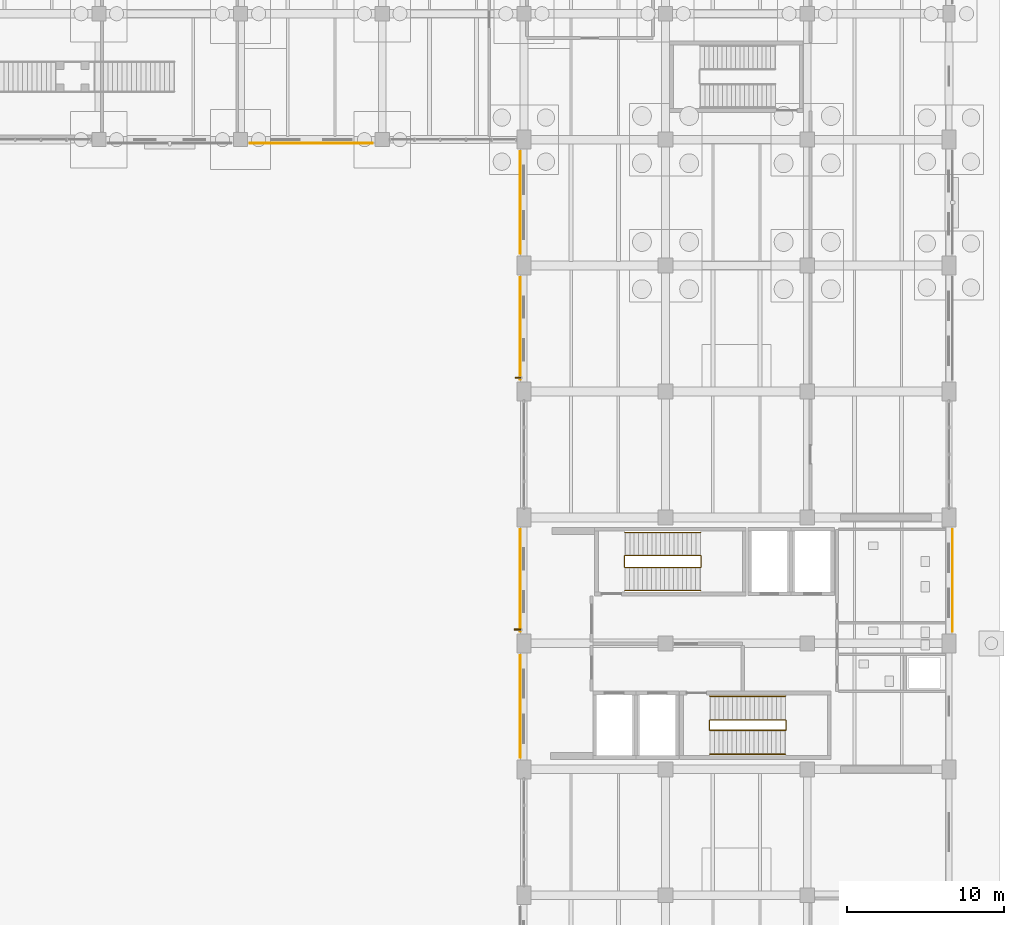
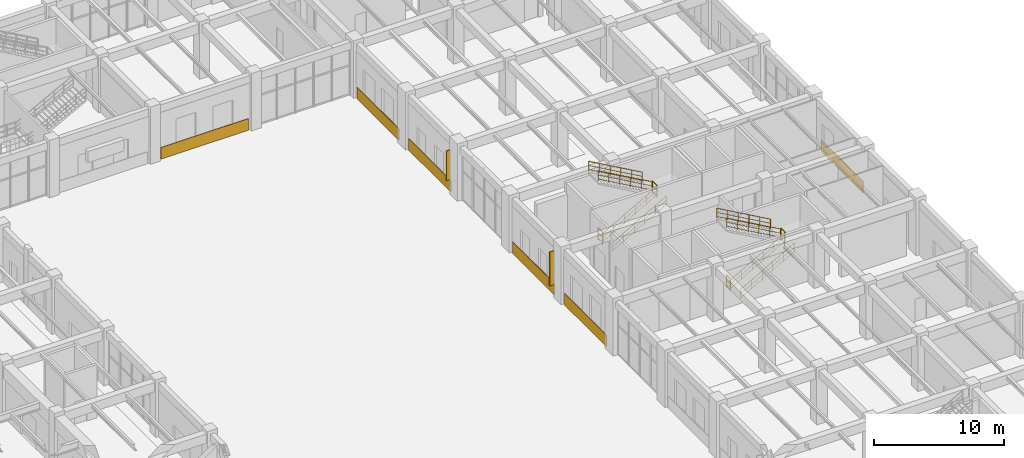
# One storey, part 118 of 121: 12 railings, 6 coverings, 2 shading devices.
"""IFC4 building model written with IfcOpenShell, lengths in metres."""

from ifc_helpers import new_model, si_unit, derived_unit, direction, frame, origin, origin_2d, place, context, subcontext, project, spatial, rectangle, circle, extrude, material, layer, layer_set, type_object, element, save


model = new_model("IFC4")

# Units and contexts
model_context = context("Model", 3, precision=1e-05, world=origin(), true_north=direction((0.0, 1.0)))
body_context = subcontext(model_context, "Body", "Model", "MODEL_VIEW")
ifc_project = project(units=[si_unit("LENGTHUNIT", "METRE"), si_unit("AREAUNIT", "SQUARE_METRE"), si_unit("VOLUMEUNIT", "CUBIC_METRE"), si_unit("PLANEANGLEUNIT", "RADIAN"), si_unit("MASSUNIT", "GRAM", prefix="KILO"), derived_unit("THERMALTRANSMITTANCEUNIT", [(si_unit("MASSUNIT", "GRAM", prefix="KILO"), 1), (si_unit("TIMEUNIT", "SECOND"), -3), (si_unit("THERMODYNAMICTEMPERATUREUNIT", "KELVIN"), -1)])], contexts=[model_context])

# Site, building, storey
site_placement = place(None, origin())
site = spatial("IfcSite", under=ifc_project, at=site_placement, CompositionType="ELEMENT")
building_placement = place(site_placement, origin())
building = spatial("IfcBuilding", under=site, at=building_placement, Name="Zhenchuan Archway Interchange", CompositionType="ELEMENT")
storey_placement = place(building_placement, origin())
storey = spatial("IfcBuildingStorey", under=building, at=storey_placement, Name="L00", CompositionType="ELEMENT", Elevation=0.0)

# Coverings
ifc_material_1 = material(Name="Granite Stone Cladding", Category="masonry")
ifc_layer = layer(ifc_material_1, 0.0400390625)
ifc_layer_set = layer_set([ifc_layer], Name="Granite Stone Cladding")
covering_type = type_object("IfcCoveringType", Name="COV_CLAD_GRANITE", PredefinedType="CLADDING", material=ifc_layer_set)
for number, where, z_axis, x_axis, name in (
    (1, (171.22802734375, 60.0, 0.0), (0.0, 0.0, 1.0), (0.0, -1.0, 0.0), "Pearl-grey granite plinth band 070"),
    (2, (143.77197265625, 52.0, 0.0), (0.0, 0.0, 1.0), (0.0, 1.0, 0.0), "Pearl-grey granite plinth band 106"),
    (3, (143.77197265625, 60.0, 0.0), (0.0, 0.0, 1.0), (0.0, 1.0, 0.0), "Pearl-grey granite plinth band 107"),
    (4, (143.77197265625, 76.0, 0.0), (0.0, 0.0, 1.0), (0.0, 1.0, 0.0), "Pearl-grey granite plinth band 109"),
    (5, (143.77197265625, 84.0, 0.0), (0.0, 0.0, 1.0), (0.0, 1.0, 0.0), "Pearl-grey granite plinth band 110"),
):
    element("IfcCovering", number, at=place(storey_placement, frame(where, z_axis=z_axis, x_axis=x_axis)), inside=storey, type_object=covering_type, Name=name, PredefinedType="CLADDING", context=body_context, shape_type="SweptSolid", body=[
        extrude(rectangle(XDim=6.50390625, YDim=0.0400390625, at=origin_2d()), origin(), (0.0, 0.0, 1.0), 1.10009765625),
    ])
covering_placement = place(storey_placement, frame((130.5, 87.77197265625, 0.0), z_axis=(0.0, 0.0, 1.0), x_axis=(-1.0, 0.0, 0.0)))
element("IfcCovering", 6, at=covering_placement, inside=storey, type_object=covering_type, Name="Pearl-grey granite plinth band 112", PredefinedType="CLADDING", context=body_context, shape_type="SweptSolid", body=[
    extrude(rectangle(XDim=7.803955078125, YDim=0.0400390625, at=origin_2d()), origin(), (0.0, 0.0, 1.0), 1.10009765625),
])

# Railings
ifc_material_2 = material(Name="Painted Galvanised Steel", Category="steel")
railing_type_1 = type_object("IfcRailingType", Name="RL_GUARD_1150", PredefinedType="GUARDRAIL", material=ifc_material_2)
for number, where, name in (
    (7, (155.2451171875, 60.864990234375, 2.699951171875), "Stair ST-O1 half-landing slot guard (L00)"),
    (8, (150.385009765625, 60.864990234375, 0.0), "Stair ST-O1 floor well guard (L00)"),
):
    element("IfcRailing", number, at=place(storey_placement, frame(where)), inside=storey, type_object=railing_type_1, Name=name, PredefinedType="GUARDRAIL", context=body_context, shape_type="SweptSolid", body=[
        extrude(circle(Radius=0.02392578125, at=origin_2d()), frame((0.0, 0.0, 1.1259765625), z_axis=(0.0, 1.0, 0.0), x_axis=(-1.0, 0.0, 0.0)), (0.0, 0.0, 1.0), 0.669921875),
        extrude(circle(Radius=0.01611328125, at=origin_2d()), frame((0.0, 0.0, 0.63232421875), z_axis=(0.0, 1.0, 0.0), x_axis=(-1.0, 0.0, 0.0)), (0.0, 0.0, 1.0), 0.669921875),
        extrude(circle(Radius=0.01611328125, at=origin_2d()), frame((0.0, 0.0, 0.1201171875), z_axis=(0.0, 1.0, 0.0), x_axis=(-1.0, 0.0, 0.0)), (0.0, 0.0, 1.0), 0.669921875),
        extrude(circle(Radius=0.02099609375, at=origin_2d()), origin(), (0.0, 0.0, 1.0), 1.1259765625),
        extrude(circle(Radius=0.02099609375, at=origin_2d()), frame((0.0, 0.669921875, 0.0)), (0.0, 0.0, 1.0), 1.1259765625),
    ])
for number, where, name in (
    (9, (160.64501953125, 50.514892578125, 2.699951171875), "Stair ST-O2 half-landing slot guard (L00)"),
    (10, (155.784912109375, 50.514892578125, 0.0), "Stair ST-O2 floor well guard (L00)"),
):
    element("IfcRailing", number, at=place(storey_placement, frame(where)), inside=storey, type_object=railing_type_1, Name=name, PredefinedType="GUARDRAIL", context=body_context, shape_type="SweptSolid", body=[
        extrude(circle(Radius=0.02392578125, at=origin_2d()), frame((0.0, 0.0, 1.1259765625), z_axis=(0.0, 1.0, 0.0), x_axis=(-1.0, 0.0, 0.0)), (0.0, 0.0, 1.0), 0.570068359375),
        extrude(circle(Radius=0.01611328125, at=origin_2d()), frame((0.0, 0.0, 0.63232421875), z_axis=(0.0, 1.0, 0.0), x_axis=(-1.0, 0.0, 0.0)), (0.0, 0.0, 1.0), 0.570068359375),
        extrude(circle(Radius=0.01611328125, at=origin_2d()), frame((0.0, 0.0, 0.1201171875), z_axis=(0.0, 1.0, 0.0), x_axis=(-1.0, 0.0, 0.0)), (0.0, 0.0, 1.0), 0.570068359375),
        extrude(circle(Radius=0.02099609375, at=origin_2d()), origin(), (0.0, 0.0, 1.0), 1.1259765625),
        extrude(circle(Radius=0.02099609375, at=origin_2d()), frame((0.0, 0.570068359375, 0.0)), (0.0, 0.0, 1.0), 1.1259765625),
    ])
ifc_material_3 = material(Name="Stainless Steel 304", Category="steel")
railing_type_2 = type_object("IfcRailingType", Name="RL_HAND_920", PredefinedType="HANDRAIL", material=ifc_material_3)
for number, where, name in (
    (11, (150.425048828125, 59.35498046875, 0.14990234375), "Stair ST-O1 handrail 1 (L00)"),
    (12, (150.425048828125, 60.824951171875, 0.14990234375), "Stair ST-O1 handrail 2 (L00)"),
):
    element("IfcRailing", number, at=place(storey_placement, frame(where)), inside=storey, type_object=railing_type_2, Name=name, PredefinedType="HANDRAIL", context=body_context, shape_type="SweptSolid", body=[
        extrude(circle(Radius=0.02392578125, at=origin_2d()), frame((0.0, 0.0, 0.89599609375), z_axis=(0.87068456393, 0.0, 0.491841834469), x_axis=(0.0, 1.0, 0.0)), (0.0, 0.0, 1.0), 5.489990234375),
        extrude(circle(Radius=0.01611328125, at=origin_2d()), frame((0.0, 0.0, 0.505859375), z_axis=(0.87068456393, 0.0, 0.491841834469), x_axis=(0.0, 1.0, 0.0)), (0.0, 0.0, 1.0), 5.489990234375),
        extrude(circle(Radius=0.01611328125, at=origin_2d()), frame((0.0, 0.0, 0.1201171875), z_axis=(0.87068456393, 0.0, 0.491841834469), x_axis=(0.0, 1.0, 0.0)), (0.0, 0.0, 1.0), 5.489990234375),
        extrude(circle(Radius=0.02099609375, at=origin_2d()), origin(), (0.0, 0.0, 1.0), 0.89599609375),
        extrude(circle(Radius=0.02099609375, at=origin_2d()), frame((0.9560546875, 0.0, 0.5400390625)), (0.0, 0.0, 1.0), 0.89599609375),
        extrude(circle(Radius=0.02099609375, at=origin_2d()), frame((1.912109375, 0.0, 1.080078125)), (0.0, 0.0, 1.0), 0.89599609375),
        extrude(circle(Radius=0.02099609375, at=origin_2d()), frame((2.867919921875, 0.0, 1.6201171875)), (0.0, 0.0, 1.0), 0.89599609375),
        extrude(circle(Radius=0.02099609375, at=origin_2d()), frame((3.823974609375, 0.0, 2.16015625)), (0.0, 0.0, 1.0), 0.89599609375),
        extrude(circle(Radius=0.02099609375, at=origin_2d()), frame((4.780029296875, 0.0, 2.7001953125)), (0.0, 0.0, 1.0), 0.89599609375),
    ])
for number, where, name in (
    (13, (155.205078125, 61.574951171875, 2.85009765625), "Stair ST-O1 handrail 3 (L00)"),
    (14, (155.205078125, 63.044921875, 2.85009765625), "Stair ST-O1 handrail 4 (L00)"),
):
    element("IfcRailing", number, at=place(storey_placement, frame(where)), inside=storey, type_object=railing_type_2, Name=name, PredefinedType="HANDRAIL", context=body_context, shape_type="SweptSolid", body=[
        extrude(circle(Radius=0.02392578125, at=origin_2d()), frame((0.0, 0.0, 0.89599609375), z_axis=(-0.870703607627, 0.0, 0.49180812078), x_axis=(0.0, -1.0, 0.0)), (0.0, 0.0, 1.0), 5.48974609375),
        extrude(circle(Radius=0.01611328125, at=origin_2d()), frame((0.0, 0.0, 0.505859375), z_axis=(-0.870703607627, 0.0, 0.49180812078), x_axis=(0.0, -1.0, 0.0)), (0.0, 0.0, 1.0), 5.48974609375),
        extrude(circle(Radius=0.01611328125, at=origin_2d()), frame((0.0, 0.0, 0.1201171875), z_axis=(-0.870703607627, 0.0, 0.49180812078), x_axis=(0.0, -1.0, 0.0)), (0.0, 0.0, 1.0), 5.48974609375),
        extrude(circle(Radius=0.02099609375, at=origin_2d()), origin(), (0.0, 0.0, 1.0), 0.89599609375),
        extrude(circle(Radius=0.02099609375, at=origin_2d()), frame((-0.9560546875, 0.0, 0.5400390625)), (0.0, 0.0, 1.0), 0.89599609375),
        extrude(circle(Radius=0.02099609375, at=origin_2d()), frame((-1.912109375, 0.0, 1.080078125)), (0.0, 0.0, 1.0), 0.89599609375),
        extrude(circle(Radius=0.02099609375, at=origin_2d()), frame((-2.867919921875, 0.0, 1.619873046875)), (0.0, 0.0, 1.0), 0.89599609375),
        extrude(circle(Radius=0.02099609375, at=origin_2d()), frame((-3.823974609375, 0.0, 2.159912109375)), (0.0, 0.0, 1.0), 0.89599609375),
        extrude(circle(Radius=0.02099609375, at=origin_2d()), frame((-4.780029296875, 0.0, 2.699951171875)), (0.0, 0.0, 1.0), 0.89599609375),
    ])
for number, where, name in (
    (15, (155.824951171875, 48.955078125, 0.14990234375), "Stair ST-O2 handrail 1 (L00)"),
    (16, (155.824951171875, 50.47509765625, 0.14990234375), "Stair ST-O2 handrail 2 (L00)"),
):
    element("IfcRailing", number, at=place(storey_placement, frame(where)), inside=storey, type_object=railing_type_2, Name=name, PredefinedType="HANDRAIL", context=body_context, shape_type="SweptSolid", body=[
        extrude(circle(Radius=0.02392578125, at=origin_2d()), frame((0.0, 0.0, 0.89599609375), z_axis=(0.87068456393, 0.0, 0.491841834469), x_axis=(0.0, 1.0, 0.0)), (0.0, 0.0, 1.0), 5.489990234375),
        extrude(circle(Radius=0.01611328125, at=origin_2d()), frame((0.0, 0.0, 0.505859375), z_axis=(0.87068456393, 0.0, 0.491841834469), x_axis=(0.0, 1.0, 0.0)), (0.0, 0.0, 1.0), 5.489990234375),
        extrude(circle(Radius=0.01611328125, at=origin_2d()), frame((0.0, 0.0, 0.1201171875), z_axis=(0.87068456393, 0.0, 0.491841834469), x_axis=(0.0, 1.0, 0.0)), (0.0, 0.0, 1.0), 5.489990234375),
        extrude(circle(Radius=0.02099609375, at=origin_2d()), origin(), (0.0, 0.0, 1.0), 0.89599609375),
        extrude(circle(Radius=0.02099609375, at=origin_2d()), frame((0.9560546875, 0.0, 0.5400390625)), (0.0, 0.0, 1.0), 0.89599609375),
        extrude(circle(Radius=0.02099609375, at=origin_2d()), frame((1.912109375, 0.0, 1.080078125)), (0.0, 0.0, 1.0), 0.89599609375),
        extrude(circle(Radius=0.02099609375, at=origin_2d()), frame((2.867919921875, 0.0, 1.6201171875)), (0.0, 0.0, 1.0), 0.89599609375),
        extrude(circle(Radius=0.02099609375, at=origin_2d()), frame((3.823974609375, 0.0, 2.16015625)), (0.0, 0.0, 1.0), 0.89599609375),
        extrude(circle(Radius=0.02099609375, at=origin_2d()), frame((4.780029296875, 0.0, 2.7001953125)), (0.0, 0.0, 1.0), 0.89599609375),
    ])
for number, where, name in (
    (17, (160.60498046875, 51.125, 2.85009765625), "Stair ST-O2 handrail 3 (L00)"),
    (18, (160.60498046875, 52.64501953125, 2.85009765625), "Stair ST-O2 handrail 4 (L00)"),
):
    element("IfcRailing", number, at=place(storey_placement, frame(where)), inside=storey, type_object=railing_type_2, Name=name, PredefinedType="HANDRAIL", context=body_context, shape_type="SweptSolid", body=[
        extrude(circle(Radius=0.02392578125, at=origin_2d()), frame((0.0, 0.0, 0.89599609375), z_axis=(-0.870703607627, 0.0, 0.49180812078), x_axis=(0.0, -1.0, 0.0)), (0.0, 0.0, 1.0), 5.48974609375),
        extrude(circle(Radius=0.01611328125, at=origin_2d()), frame((0.0, 0.0, 0.505859375), z_axis=(-0.870703607627, 0.0, 0.49180812078), x_axis=(0.0, -1.0, 0.0)), (0.0, 0.0, 1.0), 5.48974609375),
        extrude(circle(Radius=0.01611328125, at=origin_2d()), frame((0.0, 0.0, 0.1201171875), z_axis=(-0.870703607627, 0.0, 0.49180812078), x_axis=(0.0, -1.0, 0.0)), (0.0, 0.0, 1.0), 5.48974609375),
        extrude(circle(Radius=0.02099609375, at=origin_2d()), origin(), (0.0, 0.0, 1.0), 0.89599609375),
        extrude(circle(Radius=0.02099609375, at=origin_2d()), frame((-0.9560546875, 0.0, 0.5400390625)), (0.0, 0.0, 1.0), 0.89599609375),
        extrude(circle(Radius=0.02099609375, at=origin_2d()), frame((-1.912109375, 0.0, 1.080078125)), (0.0, 0.0, 1.0), 0.89599609375),
        extrude(circle(Radius=0.02099609375, at=origin_2d()), frame((-2.867919921875, 0.0, 1.619873046875)), (0.0, 0.0, 1.0), 0.89599609375),
        extrude(circle(Radius=0.02099609375, at=origin_2d()), frame((-3.823974609375, 0.0, 2.159912109375)), (0.0, 0.0, 1.0), 0.89599609375),
        extrude(circle(Radius=0.02099609375, at=origin_2d()), frame((-4.780029296875, 0.0, 2.699951171875)), (0.0, 0.0, 1.0), 0.89599609375),
    ])

# Shading devices
ifc_material_4 = material(Name="Terracotta Ceramic", Category="masonry")
shading_device_type_1 = type_object("IfcShadingDeviceType", Name="SHD_FIN_1", PredefinedType="USERDEFINED", material=ifc_material_4)
shading_device_1_placement = place(storey_placement, frame((143.5859375, 56.8779296875, 0.93017578125), z_axis=(0.0, 0.0, 1.0), x_axis=(0.0, 1.0, 0.0)))
element("IfcShadingDevice", 19, at=shading_device_1_placement, inside=storey, type_object=shading_device_type_1, Name="Terracotta vertical solar fin L00-021", ObjectType="FINS", PredefinedType="USERDEFINED", context=body_context, shape_type="SweptSolid", body=[
    extrude(rectangle(XDim=0.090087890625, YDim=0.419921875, at=origin_2d()), origin(), (0.0, 0.0, 1.0), 3.199951171875),
])
shading_device_type_2 = type_object("IfcShadingDeviceType", Name="SHD_FIN_2", PredefinedType="USERDEFINED", material=ifc_material_4)
shading_device_2_placement = place(storey_placement, frame((143.615966796875, 72.8779296875, 1.1298828125), z_axis=(0.0, 0.0, 1.0), x_axis=(0.0, 1.0, 0.0)))
element("IfcShadingDevice", 20, at=shading_device_2_placement, inside=storey, type_object=shading_device_type_2, Name="Terracotta vertical solar fin L00-022", ObjectType="FINS", PredefinedType="USERDEFINED", context=body_context, shape_type="SweptSolid", body=[
    extrude(rectangle(XDim=0.080078125, YDim=0.360107421875, at=origin_2d()), origin(), (0.0, 0.0, 1.0), 2.800048828125),
])

save(model, "model.ifc")
